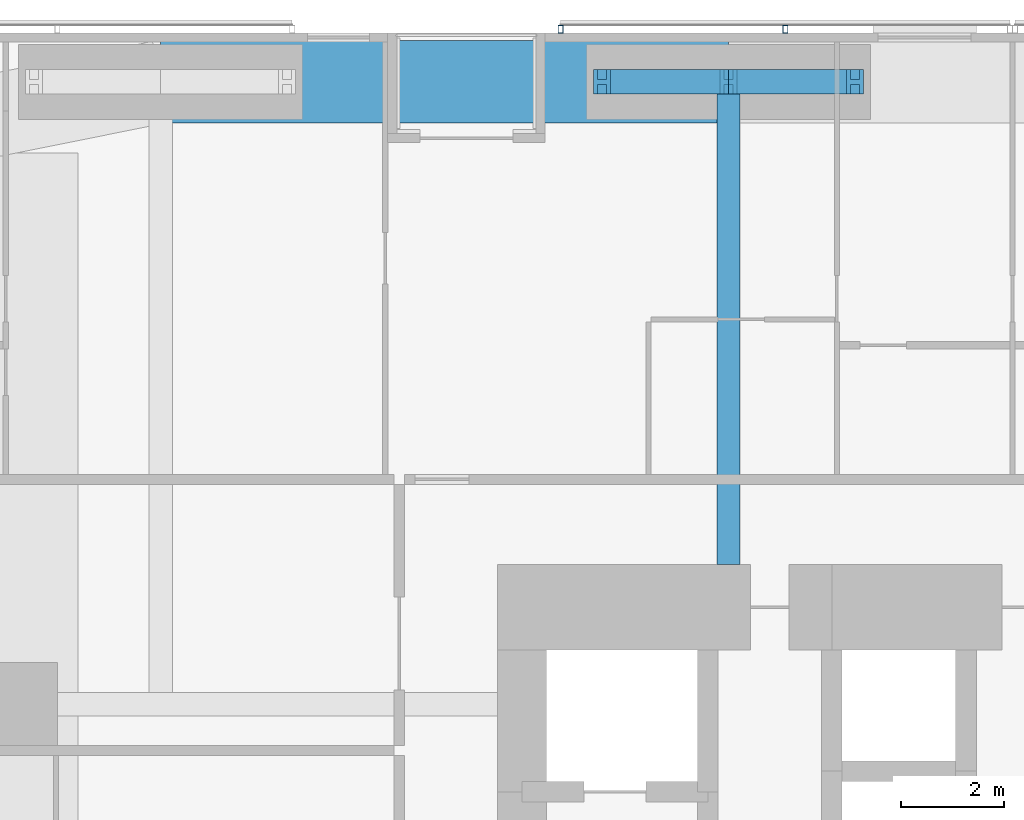
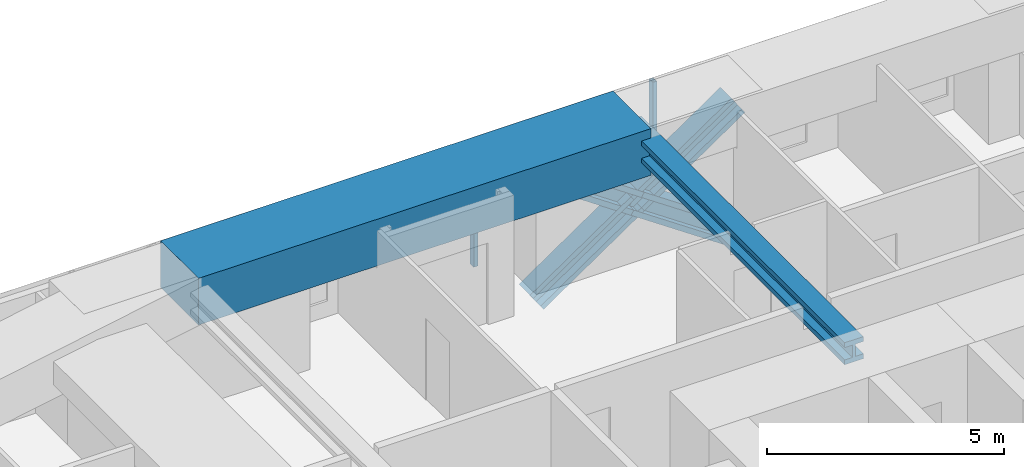
# One storey, part 13 of 24: 6 members, 2 beams, 1 element without a shape of its own.
"""IFC4 building model written with IfcOpenShell, lengths in metres."""

import ifcopenshell
import ifcopenshell.guid

model = None  # the IFC model being written
_history = None  # IfcOwnerHistory: only IFC2X3 demands one
_inside = {}  # id of a spatial element -> (the spatial element, [elements in it])
_under = {}  # id of a project, library or spatial element -> (it, [spatial elements below it])
_declared = {}  # id of a project -> (the project, [libraries it declares])
_typed = {}  # id of a type object -> (the type object, [elements of that type])
_made_of = {}  # id of a material, layer set ... -> (it, [elements and type objects made of it])


def new_model(schema):
    """Start an empty IFC model of exactly this schema.

    Asked for "IFC4X3", IfcOpenShell would pick the latest addendum, in which some entities
    have other attributes; the version numbers below select the first issue.
    IFC2X3 requires an IfcOwnerHistory on every rooted entity: one is made here for all.
    """
    global model, _history
    if schema == "IFC4X3":
        model = ifcopenshell.file(schema_version=(4, 3, 0, 0))
    else:
        model = ifcopenshell.file(schema=schema)
    _inside.clear()
    _under.clear()
    _declared.clear()
    _typed.clear()
    _made_of.clear()
    _history = None
    if model.schema == "IFC2X3":
        org = make("IfcOrganization", Name="unknown")
        user = make(
            "IfcPersonAndOrganization",
            ThePerson=make("IfcPerson", FamilyName="unknown"),
            TheOrganization=org,
        )
        app = make(
            "IfcApplication",
            ApplicationDeveloper=org,
            Version="unknown",
            ApplicationFullName="unknown",
            ApplicationIdentifier="unknown",
        )
        _history = make(
            "IfcOwnerHistory",
            OwningUser=user,
            OwningApplication=app,
            ChangeAction="ADDED",
            CreationDate=0,
        )
    return model


def make(cls, **values):
    """One entity of the class cls with the attributes given. An attribute that is None is left unset."""
    return model.create_entity(
        cls, **{name: value for name, value in values.items() if value is not None}
    )


def rooted(cls, **values):
    """An entity with a GlobalId (a new one), such as an element, a storey or a relation."""
    return make(cls, GlobalId=ifcopenshell.guid.new(), OwnerHistory=_history, **values)


def si_unit(unit_type, name, prefix=None):
    """IfcSIUnit, for example si_unit("LENGTHUNIT", "METRE", prefix="MILLI")."""
    return make("IfcSIUnit", UnitType=unit_type, Prefix=prefix, Name=name)


def assignment(units):
    """IfcUnitAssignment: the units of a project."""
    return None if units is None else make("IfcUnitAssignment", Units=units)


def point(xyz):
    """IfcCartesianPoint."""
    return None if xyz is None else make("IfcCartesianPoint", Coordinates=xyz)


def direction(xyz):
    """IfcDirection."""
    return None if xyz is None else make("IfcDirection", DirectionRatios=xyz)


def frame(location, z_axis=None, x_axis=None):
    """IfcAxis2Placement3D, a coordinate frame: its origin and axes. An axis left out is left unset."""
    return make(
        "IfcAxis2Placement3D",
        Location=point(location),
        Axis=direction(z_axis),
        RefDirection=direction(x_axis),
    )


def frame_2d(location, x_axis=None):
    """IfcAxis2Placement2D, a coordinate frame in the plane: its origin and x axis."""
    return make(
        "IfcAxis2Placement2D", Location=point(location), RefDirection=direction(x_axis)
    )


def origin():
    """The frame at (0, 0, 0) with its axes left unset."""
    return frame((0.0, 0.0, 0.0))


def origin_2d():
    """The frame at (0, 0) in the plane with its x axis left unset."""
    return frame_2d((0.0, 0.0))


def place(relative_to, where):
    """IfcLocalPlacement: puts the frame where relative to a parent placement (None: the world)."""
    return make(
        "IfcLocalPlacement", PlacementRelTo=relative_to, RelativePlacement=where
    )


def context(
    kind, dimensions, precision=None, world=None, true_north=None, identifier=None
):
    """IfcGeometricRepresentationContext, for example the 3D "Model" context."""
    return make(
        "IfcGeometricRepresentationContext",
        ContextIdentifier=identifier,
        ContextType=kind,
        CoordinateSpaceDimension=dimensions,
        Precision=precision,
        WorldCoordinateSystem=world,
        TrueNorth=true_north,
    )


def subcontext(parent, identifier, kind, view, scale=None):
    """IfcGeometricRepresentationSubContext, for example "Body" below "Model"."""
    return make(
        "IfcGeometricRepresentationSubContext",
        ContextIdentifier=identifier,
        ContextType=kind,
        ParentContext=parent,
        TargetScale=scale,
        TargetView=view,
    )


def project(units=None, contexts=None):
    """IfcProject with its units and contexts."""
    return rooted(
        "IfcProject",
        Name="project",
        RepresentationContexts=contexts,
        UnitsInContext=assignment(units),
    )


def spatial(cls, under=None, at=None, **own):
    """A site, building, storey or space (cls), placed at a placement, below another one or the project."""
    s = rooted(cls, ObjectPlacement=at, **own)
    if under is not None:
        _under.setdefault(under.id(), (under, []))[1].append(s)
    return s


def profile(cls, at=None, kind="AREA", **sizes):
    """A parametric profile (cls). Its sizes go by their IFC names, for example OverallWidth=200.0."""
    return make(cls, ProfileType=kind, Position=at, **sizes)


def rectangle(**sizes):
    """IfcRectangleProfileDef."""
    return profile("IfcRectangleProfileDef", **sizes)


def hollow_rectangle(**sizes):
    """IfcRectangleHollowProfileDef."""
    return profile("IfcRectangleHollowProfileDef", **sizes)


def i_section(**sizes):
    """IfcIShapeProfileDef."""
    return profile("IfcIShapeProfileDef", **sizes)


def extrude(swept, where, along, depth):
    """IfcExtrudedAreaSolid: the profile swept, set in the frame where, extruded along a direction by depth."""
    return make(
        "IfcExtrudedAreaSolid",
        SweptArea=swept,
        Position=where,
        ExtrudedDirection=direction(along),
        Depth=depth,
    )


def shape(context_of_items, identifier, shape_type, items):
    """IfcShapeRepresentation: the items that make up one representation, for example the "Body"."""
    return make(
        "IfcShapeRepresentation",
        ContextOfItems=context_of_items,
        RepresentationIdentifier=identifier,
        RepresentationType=shape_type,
        Items=items,
    )


def material(Name=None, Category=None):
    """IfcMaterial."""
    return make("IfcMaterial", Name=Name, Category=Category)


def material_profile(
    of_material, cross_section, Name=None, Category=None, Priority=None
):
    """IfcMaterialProfile: a cross section and its material."""
    return make(
        "IfcMaterialProfile",
        Name=Name,
        Material=of_material,
        Profile=cross_section,
        Priority=Priority,
        Category=Category,
    )


def profile_set(profiles, Name=None, composite=None):
    """IfcMaterialProfileSet."""
    return make(
        "IfcMaterialProfileSet",
        Name=Name,
        MaterialProfiles=profiles,
        CompositeProfile=composite,
    )


def made_of(thing, what):
    """Note that an element or type object is made of a material, layer set ...; save() writes the relation."""
    if what is not None:
        _made_of.setdefault(what.id(), (what, []))[1].append(thing)
    return thing


def type_object(cls, material=None, **own):
    """A type object (cls), such as IfcWallType, which elements share."""
    return made_of(rooted(cls, **own), material)


def element(
    cls,
    number,
    at=None,
    inside=None,
    cuts=None,
    type_object=None,
    material=None,
    context=None,
    identifier="Body",
    shape_type=None,
    held_by="IfcProductDefinitionShape",
    body=None,
    shapes=None,
    **own,
):
    """One element of the class cls, such as IfcWall. Its Tag is "e" and its number.

    at: its placement. inside: the storey or other place that contains it. cuts: it is an
    opening in that element (IfcRelVoidsElement). A single representation is given by context,
    identifier, shape_type and body (its items); several are given by shapes. held_by: the class
    of the entity that holds the representations. save() writes the other relations.
    """
    e = rooted(cls, Tag="e%d" % number, ObjectPlacement=at, **own)
    if body is not None:
        shapes = [shape(context, identifier, shape_type, body)]
    if shapes is not None:
        e.Representation = make(held_by, Representations=shapes)
    if inside is not None:
        _inside.setdefault(inside.id(), (inside, []))[1].append(e)
    if cuts is not None:
        rooted(
            "IfcRelVoidsElement", RelatingBuildingElement=cuts, RelatedOpeningElement=e
        )
    if type_object is not None:
        _typed.setdefault(type_object.id(), (type_object, []))[1].append(e)
    return made_of(e, material)


def aggregate(whole, parts):
    """IfcRelAggregates: a whole, such as a stair, and the parts it consists of."""
    return rooted("IfcRelAggregates", RelatingObject=whole, RelatedObjects=parts)


def save(model, path):
    """Write the relations noted so far, then the file.

    IfcRelAggregates (storeys below a building ...), IfcRelContainedInSpatialStructure (elements
    in a storey), IfcRelDefinesByType, IfcRelAssociatesMaterial and IfcRelDeclares: one each for
    every whole, place, type object, material and project.
    """
    for whole, parts in _under.values():
        aggregate(whole, parts)
    for where, things in _inside.values():
        rooted(
            "IfcRelContainedInSpatialStructure",
            RelatedElements=things,
            RelatingStructure=where,
        )
    for kind, things in _typed.values():
        rooted("IfcRelDefinesByType", RelatedObjects=things, RelatingType=kind)
    for what, things in _made_of.values():
        rooted("IfcRelAssociatesMaterial", RelatedObjects=things, RelatingMaterial=what)
    for by, libraries in _declared.values():
        rooted("IfcRelDeclares", RelatingContext=by, RelatedDefinitions=libraries)
    model.write(path)


model = new_model("IFC4")

# Units and contexts
model_context = context("Model", 3, precision=1e-05, world=origin(), true_north=direction((0.0, 1.0)))
body_context = subcontext(model_context, "Body", "Model", "MODEL_VIEW")
ifc_project = project(units=[si_unit("LENGTHUNIT", "METRE"), si_unit("AREAUNIT", "SQUARE_METRE"), si_unit("VOLUMEUNIT", "CUBIC_METRE"), si_unit("PLANEANGLEUNIT", "RADIAN"), si_unit("MASSUNIT", "GRAM", prefix="KILO")], contexts=[model_context])

# Site, building, storey
site_placement = place(None, origin())
site = spatial("IfcSite", under=ifc_project, at=site_placement, CompositionType="ELEMENT")
building_placement = place(site_placement, origin())
building = spatial("IfcBuilding", under=site, at=building_placement, Name="Jalousie Tower", CompositionType="ELEMENT")
storey_placement = place(building_placement, frame((0.0, 0.0, 61.199951171875)))
storey = spatial("IfcBuildingStorey", under=building, at=storey_placement, Name="L16", CompositionType="ELEMENT", Elevation=61.199951171875)

# Beam
ifc_material_1 = material(Name="Steel ASTM A992 Grade 50", Category="steel")
ifc_material_profile_1 = material_profile(ifc_material_1, i_section(OverallWidth=0.45458984375, OverallDepth=0.569091796875, WebThickness=0.077880859375, FlangeThickness=0.124755859375, at=origin_2d()), Name="W14X730")
ifc_profile_set_1 = profile_set([ifc_material_profile_1], Name="Steel ASTM A992 Grade 50")
beam_type_1 = type_object("IfcBeamType", Name="LEAN COLLECTOR W14X730", PredefinedType="BEAM", material=ifc_profile_set_1)
beam_1_placement = place(storey_placement, frame((24.0, 37.050048828125, 2.825439453125), z_axis=(0.0, -1.0, 0.0), x_axis=(1.0, 0.0, 0.0)))
element("IfcBeam", 1, at=beam_1_placement, inside=storey, type_object=beam_type_1, Name="Lean collector under L17", PredefinedType="BEAM", context=body_context, shape_type="SweptSolid", body=[
    extrude(i_section(OverallWidth=0.45458984375, OverallDepth=0.569091796875, WebThickness=0.077880859375, FlangeThickness=0.124755859375, at=origin_2d()), origin(), (0.0, 0.0, 1.0), 9.35009765625),
])

# Members
ifc_material_2 = material(Name="Steel ASTM A992 Grade 50", Category="steel")
ifc_material_profile_2 = material_profile(ifc_material_2, i_section(OverallWidth=0.472412109375, OverallDepth=0.5791015625, WebThickness=0.094970703125, FlangeThickness=0.1298828125, at=origin_2d()), Name="W14X808")
ifc_profile_set_2 = profile_set([ifc_material_profile_2], Name="Steel ASTM A992 Grade 50")
member_type_1 = type_object("IfcMemberType", Name="PERIMETER BRACE W14X808", PredefinedType="BRACE", material=ifc_profile_set_2)
for number, where, z_axis, x_axis, name in (
    (2, (21.550048828125, 37.050048828125, -0.599853515625), (0.825539243753, 0.0, 0.564344714713), (0.0, 1.0, 0.0), "Perimeter brace 10 L16 part 1"),
    (3, (24.0, 37.050048828125, 1.074951171875), (0.825500916831, 0.0, 0.564400776321), (0.0, 1.0, 0.0), "Perimeter brace 10 L16 part 2"),
    (4, (26.449951171875, 37.050048828125, -0.599853515625), (-0.825539243753, 0.0, 0.564344714713), (0.0, -1.0, 0.0), "Perimeter brace 10 L16 part 3"),
    (5, (24.0, 37.050048828125, 1.074951171875), (-0.825500916831, 0.0, 0.564400776321), (0.0, -1.0, 0.0), "Perimeter brace 10 L16 part 4"),
):
    element("IfcMember", number, at=place(storey_placement, frame(where, z_axis=z_axis, x_axis=x_axis)), inside=storey, type_object=member_type_1, Name=name, PredefinedType="BRACE", context=body_context, shape_type="SweptSolid", body=[
        extrude(i_section(OverallWidth=0.472412109375, OverallDepth=0.5791015625, WebThickness=0.094970703125, FlangeThickness=0.1298828125, at=origin_2d()), origin(), (0.0, 0.0, 1.0), 2.9677734375),
    ])

# Beam
ifc_material_3 = material(Name="Concrete f'c 40 MPa", Category="concrete")
ifc_material_profile_3 = material_profile(ifc_material_3, rectangle(XDim=1.60009765625, YDim=1.199951171875, at=origin_2d()), Name="RC 1600x1200")
ifc_profile_set_3 = profile_set([ifc_material_profile_3], Name="Concrete f'c 40 MPa")
beam_type_2 = type_object("IfcBeamType", Name="RC BEAM 1600x1200", PredefinedType="BEAM", material=ifc_profile_set_3)
beam_2_placement = place(storey_placement, frame((24.0, 37.050048828125, 2.75), z_axis=(-1.0, 0.0, 0.0), x_axis=(0.0, -1.0, 0.0)))
element("IfcBeam", 6, at=beam_2_placement, inside=storey, type_object=beam_type_2, Name="Edge band beam 10-11 under L17", PredefinedType="BEAM", context=body_context, shape_type="SweptSolid", body=[
    extrude(rectangle(XDim=1.60009765625, YDim=1.199951171875, at=origin_2d()), origin(), (0.0, 0.0, 1.0), 11.0),
])

# Curtain wall, members
ifc_material_4 = material(Name="Perforated aluminium sheet", Category="aluminium")
curtain_wall_type = type_object("IfcCurtainWallType", Name="SOLAR SCREEN SS-1", PredefinedType="USERDEFINED", material=ifc_material_4)
curtain_wall_placement = place(storey_placement, origin())
curtain_wall = element("IfcCurtainWall", 7, at=curtain_wall_placement, inside=storey, type_object=curtain_wall_type, Name="Solar screen L16", ObjectType="SOLAR SCREEN SS-1", PredefinedType="USERDEFINED")
ifc_material_5 = material(Name="Steel ASTM A500 Grade C", Category="steel")
ifc_material_profile_4 = material_profile(ifc_material_5, hollow_rectangle(XDim=0.1015625, YDim=0.15234375, WallThickness=0.00634765625, at=origin_2d()), Name="HSS6X4X1/4")
ifc_profile_set_4 = profile_set([ifc_material_profile_4], Name="Steel ASTM A500 Grade C")
member_type_2 = type_object("IfcMemberType", Name="SOLAR SCREEN SS-1 MULLION", PredefinedType="MULLION", material=ifc_profile_set_4)
member_1_placement = place(storey_placement, frame((25.10009765625, 38.0712890625, -0.119873046875), z_axis=(0.0, 0.0, 1.0), x_axis=(-1.0, 0.0, 0.0)))
member_1 = element("IfcMember", 8, at=member_1_placement, type_object=member_type_2, Name="SS1 post 2", PredefinedType="MULLION", context=body_context, shape_type="SweptSolid", body=[
    extrude(hollow_rectangle(XDim=0.1015625, YDim=0.15234375, WallThickness=0.00634765625, at=origin_2d()), origin(), (0.0, 0.0, 1.0), 3.22998046875),
])
member_2_placement = place(storey_placement, frame((20.75, 38.0712890625, -0.119873046875), z_axis=(0.0, 0.0, 1.0), x_axis=(-1.0, 0.0, 0.0)))
member_2 = element("IfcMember", 9, at=member_2_placement, type_object=member_type_2, Name="SS1 post 3", PredefinedType="MULLION", context=body_context, shape_type="SweptSolid", body=[
    extrude(hollow_rectangle(XDim=0.1015625, YDim=0.15234375, WallThickness=0.00634765625, at=origin_2d()), origin(), (0.0, 0.0, 1.0), 3.22998046875),
])
aggregate(curtain_wall, [member_1, member_2])

save(model, "model.ifc")
